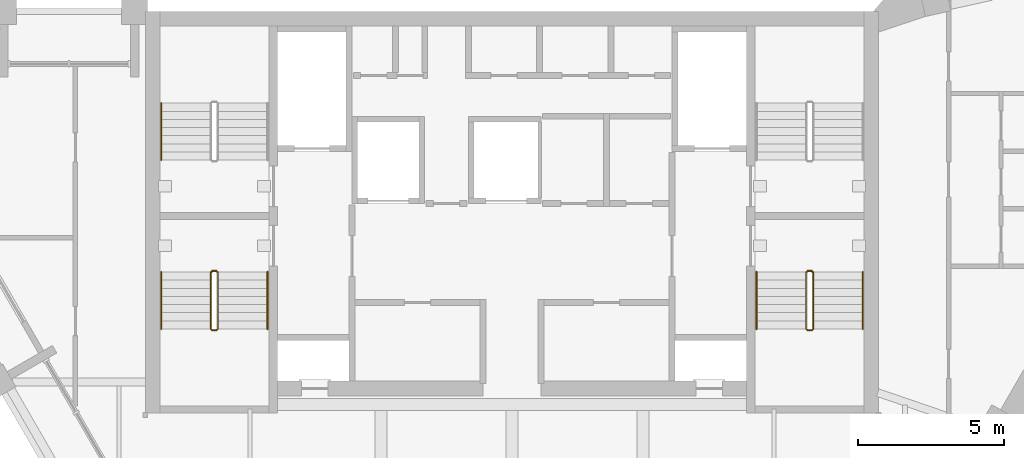
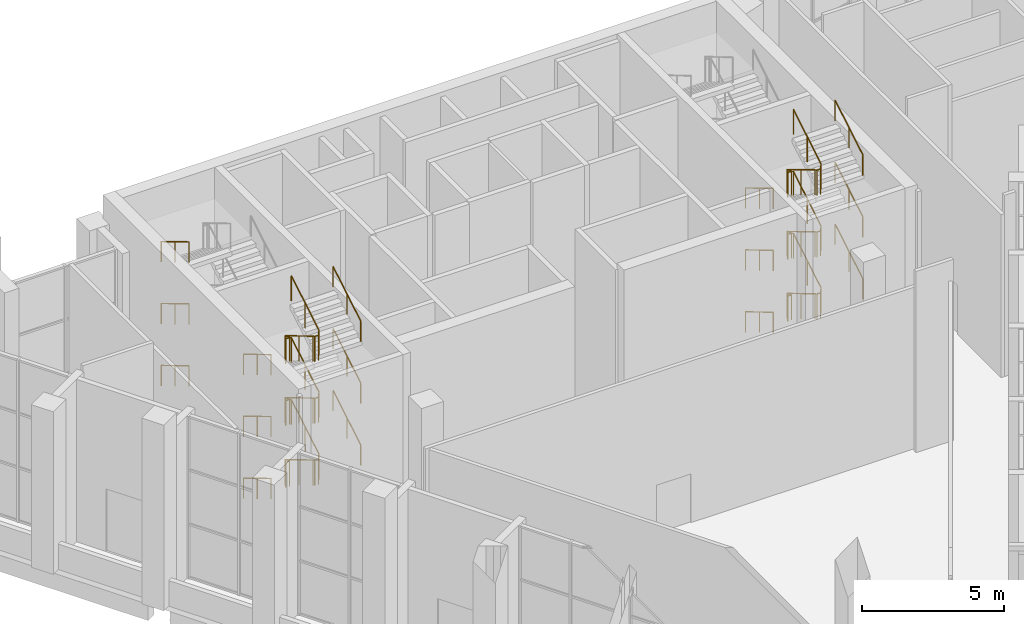
# One storey, part 15 of 16: 17 railings.
"""IFC4 building model written with IfcOpenShell, lengths in metres."""

from ifc_helpers import new_model, si_unit, direction, frame, origin, origin_2d, place, context, subcontext, project, spatial, circle, extrude, material, type_object, element, save


model = new_model("IFC4")

# Units and contexts
model_context = context("Model", 3, precision=1e-05, world=origin(), true_north=direction((0.0, 1.0)))
body_context = subcontext(model_context, "Body", "Model", "MODEL_VIEW")
ifc_project = project(units=[si_unit("LENGTHUNIT", "METRE"), si_unit("AREAUNIT", "SQUARE_METRE"), si_unit("VOLUMEUNIT", "CUBIC_METRE"), si_unit("PLANEANGLEUNIT", "RADIAN"), si_unit("MASSUNIT", "GRAM", prefix="KILO")], contexts=[model_context])

# Site, building, storey
site_placement = place(None, origin())
site = spatial("IfcSite", under=ifc_project, at=site_placement, CompositionType="ELEMENT")
building_placement = place(site_placement, origin())
building = spatial("IfcBuilding", under=site, at=building_placement, Name="Calabash Gate Tower", CompositionType="ELEMENT")
storey_placement = place(building_placement, frame((0.0, 0.0, 302.5)))
storey = spatial("IfcBuildingStorey", under=building, at=storey_placement, Name="L72", CompositionType="ELEMENT", Elevation=302.5)

# Railings
ifc_material_1 = material(Name="Black powder-coated steel balusters", Category="steel")
railing_type_1 = type_object("IfcRailingType", Name="Stair guard RL1100", PredefinedType="GUARDRAIL", material=ifc_material_1)
railing_1_placement = place(storey_placement, frame((-10.300048828125, 10.152587890625, 0.0)))
element("IfcRailing", 1, at=railing_1_placement, inside=storey, type_object=railing_type_1, Name="L72 ST2 stair guard 1", PredefinedType="GUARDRAIL", context=body_context, shape_type="SweptSolid", body=[
    extrude(circle(Radius=0.02392578125, at=origin_2d()), frame((0.0, 0.0, 1.076171875), z_axis=(1.0, 0.0, 0.0), x_axis=(0.0, 1.0, 0.0)), (0.0, 0.0, 1.0), 0.150146484375),
    extrude(circle(Radius=0.02392578125, at=origin_2d()), frame((0.150146484375, 0.0, 1.076171875), z_axis=(-0.75457900375, -0.188644750937, 0.628509097026), x_axis=(0.242535625036, -0.970142500145, 0.0)), (0.0, 0.0, 1.0), 0.265380859375),
    extrude(circle(Radius=0.02392578125, at=origin_2d()), frame((-0.050048828125, -0.050048828125, 1.24267578125), z_axis=(0.0, -0.858504550952, 0.512805943799), x_axis=(1.0, 0.0, 0.0)), (0.0, 0.0, 1.0), 2.274658203125),
    extrude(circle(Radius=0.02392578125, at=origin_2d()), frame((-0.050048828125, -2.0029296875, 2.4091796875), z_axis=(0.707106781187, -0.707106781187, 0.0), x_axis=(0.707106781187, 0.707106781187, 0.0)), (0.0, 0.0, 1.0), 0.07080078125),
    extrude(circle(Radius=0.02392578125, at=origin_2d()), frame((0.0, -2.052978515625, 2.4091796875), z_axis=(1.0, 0.0, 0.0), x_axis=(0.0, 1.0, 0.0)), (0.0, 0.0, 1.0), 0.150146484375),
    extrude(circle(Radius=0.02392578125, at=origin_2d()), frame((0.150146484375, -2.052978515625, 2.4091796875), z_axis=(0.275041040955, 0.276389281352, 0.920848191041), x_axis=(-0.708833529934, 0.705375805398, 0.0)), (0.0, 0.0, 1.0), 0.18115234375),
    extrude(circle(Radius=0.02392578125, at=origin_2d()), frame((0.199951171875, -2.0029296875, 2.576171875), z_axis=(0.0, 0.858457299827, 0.512885040114), x_axis=(-1.0, 0.0, 0.0)), (0.0, 0.0, 1.0), 2.27490234375),
    extrude(circle(Radius=0.02392578125, at=origin_2d()), frame((0.199951171875, -0.050048828125, 3.74267578125), z_axis=(-0.970072785993, 0.242814311512, 0.0), x_axis=(-0.242814311512, -0.970072785993, 0.0)), (0.0, 0.0, 1.0), 0.2060546875),
    extrude(circle(Radius=0.02392578125, at=origin_2d()), frame((0.0, 0.0, 3.74267578125), z_axis=(1.0, 0.0, 0.0), x_axis=(0.0, 1.0, 0.0)), (0.0, 0.0, 1.0), 0.150146484375),
    extrude(circle(Radius=0.02392578125, at=origin_2d()), frame((0.150146484375, 0.0, 3.74267578125), z_axis=(-0.755015485205, -0.188753871301, 0.627951903548), x_axis=(0.242535625036, -0.970142500145, 0.0)), (0.0, 0.0, 1.0), 0.26513671875),
    extrude(circle(Radius=0.02392578125, at=origin_2d()), frame((-0.050048828125, -0.050048828125, 3.9091796875), z_axis=(0.0, -0.858457299827, 0.512885040114), x_axis=(1.0, 0.0, 0.0)), (0.0, 0.0, 1.0), 2.27490234375),
    extrude(circle(Radius=0.02392578125, at=origin_2d()), frame((-0.050048828125, -2.0029296875, 5.076171875), z_axis=(0.707106781187, -0.707106781187, 0.0), x_axis=(0.707106781187, 0.707106781187, 0.0)), (0.0, 0.0, 1.0), 0.07080078125),
    extrude(circle(Radius=0.02392578125, at=origin_2d()), frame((0.0, -2.052978515625, 5.076171875), z_axis=(1.0, 0.0, 0.0), x_axis=(0.0, 1.0, 0.0)), (0.0, 0.0, 1.0), 0.150146484375),
    extrude(circle(Radius=0.02392578125, at=origin_2d()), frame((0.150146484375, -2.052978515625, 5.076171875), z_axis=(0.275041040955, 0.276389281352, 0.920848191041), x_axis=(-0.708833529934, 0.705375805398, 0.0)), (0.0, 0.0, 1.0), 0.18115234375),
    extrude(circle(Radius=0.02392578125, at=origin_2d()), frame((0.199951171875, -2.0029296875, 5.24267578125), z_axis=(0.0, 0.858504550952, 0.512805943799), x_axis=(-1.0, 0.0, 0.0)), (0.0, 0.0, 1.0), 2.274658203125),
    extrude(circle(Radius=0.02392578125, at=origin_2d()), frame((0.199951171875, -0.050048828125, 6.4091796875), z_axis=(-0.970072785993, 0.242814311512, 0.0), x_axis=(-0.242814311512, -0.970072785993, 0.0)), (0.0, 0.0, 1.0), 0.2060546875),
    extrude(circle(Radius=0.02392578125, at=origin_2d()), frame((0.0, 0.0, 6.4091796875), z_axis=(1.0, 0.0, 0.0), x_axis=(0.0, 1.0, 0.0)), (0.0, 0.0, 1.0), 0.150146484375),
    extrude(circle(Radius=0.02392578125, at=origin_2d()), frame((0.150146484375, 0.0, 6.4091796875), z_axis=(-0.75457900375, -0.188644750937, 0.628509097026), x_axis=(0.242535625036, -0.970142500145, 0.0)), (0.0, 0.0, 1.0), 0.265380859375),
    extrude(circle(Radius=0.02392578125, at=origin_2d()), frame((-0.050048828125, -0.050048828125, 6.576171875), z_axis=(0.0, -0.858457299827, 0.512885040114), x_axis=(1.0, 0.0, 0.0)), (0.0, 0.0, 1.0), 2.27490234375),
    extrude(circle(Radius=0.02392578125, at=origin_2d()), frame((-0.050048828125, -2.0029296875, 7.74267578125), z_axis=(0.707106781187, -0.707106781187, 0.0), x_axis=(0.707106781187, 0.707106781187, 0.0)), (0.0, 0.0, 1.0), 0.07080078125),
    extrude(circle(Radius=0.02392578125, at=origin_2d()), frame((0.0, -2.052978515625, 7.74267578125), z_axis=(1.0, 0.0, 0.0), x_axis=(0.0, 1.0, 0.0)), (0.0, 0.0, 1.0), 0.150146484375),
    extrude(circle(Radius=0.02392578125, at=origin_2d()), frame((0.150146484375, -2.052978515625, 7.74267578125), z_axis=(0.275382897532, 0.276732813696, 0.920642824102), x_axis=(-0.708833529934, 0.705375805398, 0.0)), (0.0, 0.0, 1.0), 0.180908203125),
    extrude(circle(Radius=0.02392578125, at=origin_2d()), frame((0.199951171875, -2.0029296875, 7.9091796875), z_axis=(0.0, 0.858457299827, 0.512885040114), x_axis=(-1.0, 0.0, 0.0)), (0.0, 0.0, 1.0), 2.27490234375),
    extrude(circle(Radius=0.02099609375, at=origin_2d()), origin(), (0.0, 0.0, 1.0), 1.052001953125),
    extrude(circle(Radius=0.02099609375, at=origin_2d()), frame((0.150146484375, 0.0, 0.0)), (0.0, 0.0, 1.0), 1.052001953125),
    extrude(circle(Radius=0.02099609375, at=origin_2d()), frame((-0.050048828125, -0.050048828125, 0.166748046875)), (0.0, 0.0, 1.0), 1.052001953125),
    extrude(circle(Radius=0.02099609375, at=origin_2d()), frame((-0.050048828125, -1.0263671875, 0.75)), (0.0, 0.0, 1.0), 1.052001953125),
    extrude(circle(Radius=0.02099609375, at=origin_2d()), frame((-0.050048828125, -2.0029296875, 1.333251953125)), (0.0, 0.0, 1.0), 1.052001953125),
    extrude(circle(Radius=0.02099609375, at=origin_2d()), frame((0.0, -2.052978515625, 1.333251953125)), (0.0, 0.0, 1.0), 1.052001953125),
    extrude(circle(Radius=0.02099609375, at=origin_2d()), frame((0.150146484375, -2.052978515625, 1.333251953125)), (0.0, 0.0, 1.0), 1.052001953125),
    extrude(circle(Radius=0.02099609375, at=origin_2d()), frame((0.199951171875, -2.0029296875, 1.5)), (0.0, 0.0, 1.0), 1.052001953125),
    extrude(circle(Radius=0.02099609375, at=origin_2d()), frame((0.199951171875, -1.0263671875, 2.08349609375)), (0.0, 0.0, 1.0), 1.052001953125),
    extrude(circle(Radius=0.02099609375, at=origin_2d()), frame((0.199951171875, -0.050048828125, 2.666748046875)), (0.0, 0.0, 1.0), 1.052001953125),
    extrude(circle(Radius=0.02099609375, at=origin_2d()), frame((0.0, 0.0, 2.666748046875)), (0.0, 0.0, 1.0), 1.052001953125),
    extrude(circle(Radius=0.02099609375, at=origin_2d()), frame((0.150146484375, 0.0, 2.666748046875)), (0.0, 0.0, 1.0), 1.052001953125),
    extrude(circle(Radius=0.02099609375, at=origin_2d()), frame((-0.050048828125, -0.050048828125, 2.833251953125)), (0.0, 0.0, 1.0), 1.052001953125),
    extrude(circle(Radius=0.02099609375, at=origin_2d()), frame((-0.050048828125, -1.0263671875, 3.41650390625)), (0.0, 0.0, 1.0), 1.052001953125),
    extrude(circle(Radius=0.02099609375, at=origin_2d()), frame((-0.050048828125, -2.0029296875, 4.0)), (0.0, 0.0, 1.0), 1.052001953125),
    extrude(circle(Radius=0.02099609375, at=origin_2d()), frame((0.0, -2.052978515625, 4.0)), (0.0, 0.0, 1.0), 1.052001953125),
    extrude(circle(Radius=0.02099609375, at=origin_2d()), frame((0.150146484375, -2.052978515625, 4.0)), (0.0, 0.0, 1.0), 1.052001953125),
    extrude(circle(Radius=0.02099609375, at=origin_2d()), frame((0.199951171875, -2.0029296875, 4.166748046875)), (0.0, 0.0, 1.0), 1.052001953125),
    extrude(circle(Radius=0.02099609375, at=origin_2d()), frame((0.199951171875, -1.0263671875, 4.75)), (0.0, 0.0, 1.0), 1.052001953125),
    extrude(circle(Radius=0.02099609375, at=origin_2d()), frame((0.199951171875, -0.050048828125, 5.333251953125)), (0.0, 0.0, 1.0), 1.052001953125),
    extrude(circle(Radius=0.02099609375, at=origin_2d()), frame((0.0, 0.0, 5.333251953125)), (0.0, 0.0, 1.0), 1.052001953125),
    extrude(circle(Radius=0.02099609375, at=origin_2d()), frame((0.150146484375, 0.0, 5.333251953125)), (0.0, 0.0, 1.0), 1.052001953125),
    extrude(circle(Radius=0.02099609375, at=origin_2d()), frame((-0.050048828125, -0.050048828125, 5.5)), (0.0, 0.0, 1.0), 1.052001953125),
    extrude(circle(Radius=0.02099609375, at=origin_2d()), frame((-0.050048828125, -1.0263671875, 6.08349609375)), (0.0, 0.0, 1.0), 1.052001953125),
    extrude(circle(Radius=0.02099609375, at=origin_2d()), frame((-0.050048828125, -2.0029296875, 6.666748046875)), (0.0, 0.0, 1.0), 1.052001953125),
    extrude(circle(Radius=0.02099609375, at=origin_2d()), frame((0.0, -2.052978515625, 6.666748046875)), (0.0, 0.0, 1.0), 1.052001953125),
    extrude(circle(Radius=0.02099609375, at=origin_2d()), frame((0.150146484375, -2.052978515625, 6.666748046875)), (0.0, 0.0, 1.0), 1.052001953125),
    extrude(circle(Radius=0.02099609375, at=origin_2d()), frame((0.199951171875, -2.0029296875, 6.833251953125)), (0.0, 0.0, 1.0), 1.052001953125),
    extrude(circle(Radius=0.02099609375, at=origin_2d()), frame((0.199951171875, -1.0263671875, 7.41650390625)), (0.0, 0.0, 1.0), 1.052001953125),
    extrude(circle(Radius=0.02099609375, at=origin_2d()), frame((0.199951171875, -0.050048828125, 8.0)), (0.0, 0.0, 1.0), 1.052001953125),
])
railing_2_placement = place(storey_placement, frame((10.14990234375, 10.152587890625, 0.0)))
element("IfcRailing", 2, at=railing_2_placement, inside=storey, type_object=railing_type_1, Name="L72 ST4 stair guard 1", PredefinedType="GUARDRAIL", context=body_context, shape_type="SweptSolid", body=[
    extrude(circle(Radius=0.02392578125, at=origin_2d()), frame((0.0, 0.0, 1.076171875), z_axis=(1.0, 0.0, 0.0), x_axis=(0.0, 1.0, 0.0)), (0.0, 0.0, 1.0), 0.150146484375),
    extrude(circle(Radius=0.02392578125, at=origin_2d()), frame((0.150146484375, 0.0, 1.076171875), z_axis=(-0.754182335027, -0.188775798145, 0.628945707965), x_axis=(0.242814311512, -0.970072785993, 0.0)), (0.0, 0.0, 1.0), 0.26513671875),
    extrude(circle(Radius=0.02392578125, at=origin_2d()), frame((-0.0498046875, -0.050048828125, 1.24267578125), z_axis=(0.0, -0.858504550952, 0.512805943799), x_axis=(1.0, 0.0, 0.0)), (0.0, 0.0, 1.0), 2.274658203125),
    extrude(circle(Radius=0.02392578125, at=origin_2d()), frame((-0.0498046875, -2.0029296875, 2.4091796875), z_axis=(0.705375805398, -0.708833529934, 0.0), x_axis=(0.708833529934, 0.705375805398, 0.0)), (0.0, 0.0, 1.0), 0.070556640625),
    extrude(circle(Radius=0.02392578125, at=origin_2d()), frame((0.0, -2.052978515625, 2.4091796875), z_axis=(1.0, 0.0, 0.0), x_axis=(0.0, 1.0, 0.0)), (0.0, 0.0, 1.0), 0.150146484375),
    extrude(circle(Radius=0.02392578125, at=origin_2d()), frame((0.150146484375, -2.052978515625, 2.4091796875), z_axis=(0.27628659633, 0.27628659633, 0.920506074601), x_axis=(-0.707106781187, 0.707106781187, 0.0)), (0.0, 0.0, 1.0), 0.18115234375),
    extrude(circle(Radius=0.02392578125, at=origin_2d()), frame((0.2001953125, -2.0029296875, 2.576171875), z_axis=(0.0, 0.858457299827, 0.512885040114), x_axis=(-1.0, 0.0, 0.0)), (0.0, 0.0, 1.0), 2.27490234375),
    extrude(circle(Radius=0.02392578125, at=origin_2d()), frame((0.2001953125, -0.050048828125, 3.74267578125), z_axis=(-0.970142500145, 0.242535625036, 0.0), x_axis=(-0.242535625036, -0.970142500145, 0.0)), (0.0, 0.0, 1.0), 0.206298828125),
    extrude(circle(Radius=0.02392578125, at=origin_2d()), frame((0.0, 0.0, 3.74267578125), z_axis=(1.0, 0.0, 0.0), x_axis=(0.0, 1.0, 0.0)), (0.0, 0.0, 1.0), 0.150146484375),
    extrude(circle(Radius=0.02392578125, at=origin_2d()), frame((0.150146484375, 0.0, 3.74267578125), z_axis=(-0.754619193878, -0.188885146209, 0.628388632753), x_axis=(0.242814311512, -0.970072785993, 0.0)), (0.0, 0.0, 1.0), 0.264892578125),
    extrude(circle(Radius=0.02392578125, at=origin_2d()), frame((-0.0498046875, -0.050048828125, 3.9091796875), z_axis=(0.0, -0.858457299827, 0.512885040114), x_axis=(1.0, 0.0, 0.0)), (0.0, 0.0, 1.0), 2.27490234375),
    extrude(circle(Radius=0.02392578125, at=origin_2d()), frame((-0.0498046875, -2.0029296875, 5.076171875), z_axis=(0.705375805398, -0.708833529934, 0.0), x_axis=(0.708833529934, 0.705375805398, 0.0)), (0.0, 0.0, 1.0), 0.070556640625),
    extrude(circle(Radius=0.02392578125, at=origin_2d()), frame((0.0, -2.052978515625, 5.076171875), z_axis=(1.0, 0.0, 0.0), x_axis=(0.0, 1.0, 0.0)), (0.0, 0.0, 1.0), 0.150146484375),
    extrude(circle(Radius=0.02392578125, at=origin_2d()), frame((0.150146484375, -2.052978515625, 5.076171875), z_axis=(0.27628659633, 0.27628659633, 0.920506074601), x_axis=(-0.707106781187, 0.707106781187, 0.0)), (0.0, 0.0, 1.0), 0.18115234375),
    extrude(circle(Radius=0.02392578125, at=origin_2d()), frame((0.2001953125, -2.0029296875, 5.24267578125), z_axis=(0.0, 0.858504550952, 0.512805943799), x_axis=(-1.0, 0.0, 0.0)), (0.0, 0.0, 1.0), 2.274658203125),
    extrude(circle(Radius=0.02392578125, at=origin_2d()), frame((0.2001953125, -0.050048828125, 6.4091796875), z_axis=(-0.970142500145, 0.242535625036, 0.0), x_axis=(-0.242535625036, -0.970142500145, 0.0)), (0.0, 0.0, 1.0), 0.206298828125),
    extrude(circle(Radius=0.02392578125, at=origin_2d()), frame((0.0, 0.0, 6.4091796875), z_axis=(1.0, 0.0, 0.0), x_axis=(0.0, 1.0, 0.0)), (0.0, 0.0, 1.0), 0.150146484375),
    extrude(circle(Radius=0.02392578125, at=origin_2d()), frame((0.150146484375, 0.0, 6.4091796875), z_axis=(-0.754182335027, -0.188775798145, 0.628945707965), x_axis=(0.242814311512, -0.970072785993, 0.0)), (0.0, 0.0, 1.0), 0.26513671875),
    extrude(circle(Radius=0.02392578125, at=origin_2d()), frame((-0.0498046875, -0.050048828125, 6.576171875), z_axis=(0.0, -0.858457299827, 0.512885040114), x_axis=(1.0, 0.0, 0.0)), (0.0, 0.0, 1.0), 2.27490234375),
    extrude(circle(Radius=0.02392578125, at=origin_2d()), frame((-0.0498046875, -2.0029296875, 7.74267578125), z_axis=(0.705375805398, -0.708833529934, 0.0), x_axis=(0.708833529934, 0.705375805398, 0.0)), (0.0, 0.0, 1.0), 0.070556640625),
    extrude(circle(Radius=0.02392578125, at=origin_2d()), frame((0.0, -2.052978515625, 7.74267578125), z_axis=(1.0, 0.0, 0.0), x_axis=(0.0, 1.0, 0.0)), (0.0, 0.0, 1.0), 0.150146484375),
    extrude(circle(Radius=0.02392578125, at=origin_2d()), frame((0.150146484375, -2.052978515625, 7.74267578125), z_axis=(0.27662974545, 0.27662974545, 0.920299933644), x_axis=(-0.707106781187, 0.707106781187, 0.0)), (0.0, 0.0, 1.0), 0.180908203125),
    extrude(circle(Radius=0.02392578125, at=origin_2d()), frame((0.2001953125, -2.0029296875, 7.9091796875), z_axis=(0.0, 0.858457299827, 0.512885040114), x_axis=(-1.0, 0.0, 0.0)), (0.0, 0.0, 1.0), 2.27490234375),
    extrude(circle(Radius=0.02099609375, at=origin_2d()), origin(), (0.0, 0.0, 1.0), 1.052001953125),
    extrude(circle(Radius=0.02099609375, at=origin_2d()), frame((0.150146484375, 0.0, 0.0)), (0.0, 0.0, 1.0), 1.052001953125),
    extrude(circle(Radius=0.02099609375, at=origin_2d()), frame((-0.0498046875, -0.050048828125, 0.166748046875)), (0.0, 0.0, 1.0), 1.052001953125),
    extrude(circle(Radius=0.02099609375, at=origin_2d()), frame((-0.0498046875, -1.0263671875, 0.75)), (0.0, 0.0, 1.0), 1.052001953125),
    extrude(circle(Radius=0.02099609375, at=origin_2d()), frame((-0.0498046875, -2.0029296875, 1.333251953125)), (0.0, 0.0, 1.0), 1.052001953125),
    extrude(circle(Radius=0.02099609375, at=origin_2d()), frame((0.0, -2.052978515625, 1.333251953125)), (0.0, 0.0, 1.0), 1.052001953125),
    extrude(circle(Radius=0.02099609375, at=origin_2d()), frame((0.150146484375, -2.052978515625, 1.333251953125)), (0.0, 0.0, 1.0), 1.052001953125),
    extrude(circle(Radius=0.02099609375, at=origin_2d()), frame((0.2001953125, -2.0029296875, 1.5)), (0.0, 0.0, 1.0), 1.052001953125),
    extrude(circle(Radius=0.02099609375, at=origin_2d()), frame((0.2001953125, -1.0263671875, 2.08349609375)), (0.0, 0.0, 1.0), 1.052001953125),
    extrude(circle(Radius=0.02099609375, at=origin_2d()), frame((0.2001953125, -0.050048828125, 2.666748046875)), (0.0, 0.0, 1.0), 1.052001953125),
    extrude(circle(Radius=0.02099609375, at=origin_2d()), frame((0.0, 0.0, 2.666748046875)), (0.0, 0.0, 1.0), 1.052001953125),
    extrude(circle(Radius=0.02099609375, at=origin_2d()), frame((0.150146484375, 0.0, 2.666748046875)), (0.0, 0.0, 1.0), 1.052001953125),
    extrude(circle(Radius=0.02099609375, at=origin_2d()), frame((-0.0498046875, -0.050048828125, 2.833251953125)), (0.0, 0.0, 1.0), 1.052001953125),
    extrude(circle(Radius=0.02099609375, at=origin_2d()), frame((-0.0498046875, -1.0263671875, 3.41650390625)), (0.0, 0.0, 1.0), 1.052001953125),
    extrude(circle(Radius=0.02099609375, at=origin_2d()), frame((-0.0498046875, -2.0029296875, 4.0)), (0.0, 0.0, 1.0), 1.052001953125),
    extrude(circle(Radius=0.02099609375, at=origin_2d()), frame((0.0, -2.052978515625, 4.0)), (0.0, 0.0, 1.0), 1.052001953125),
    extrude(circle(Radius=0.02099609375, at=origin_2d()), frame((0.150146484375, -2.052978515625, 4.0)), (0.0, 0.0, 1.0), 1.052001953125),
    extrude(circle(Radius=0.02099609375, at=origin_2d()), frame((0.2001953125, -2.0029296875, 4.166748046875)), (0.0, 0.0, 1.0), 1.052001953125),
    extrude(circle(Radius=0.02099609375, at=origin_2d()), frame((0.2001953125, -1.0263671875, 4.75)), (0.0, 0.0, 1.0), 1.052001953125),
    extrude(circle(Radius=0.02099609375, at=origin_2d()), frame((0.2001953125, -0.050048828125, 5.333251953125)), (0.0, 0.0, 1.0), 1.052001953125),
    extrude(circle(Radius=0.02099609375, at=origin_2d()), frame((0.0, 0.0, 5.333251953125)), (0.0, 0.0, 1.0), 1.052001953125),
    extrude(circle(Radius=0.02099609375, at=origin_2d()), frame((0.150146484375, 0.0, 5.333251953125)), (0.0, 0.0, 1.0), 1.052001953125),
    extrude(circle(Radius=0.02099609375, at=origin_2d()), frame((-0.0498046875, -0.050048828125, 5.5)), (0.0, 0.0, 1.0), 1.052001953125),
    extrude(circle(Radius=0.02099609375, at=origin_2d()), frame((-0.0498046875, -1.0263671875, 6.08349609375)), (0.0, 0.0, 1.0), 1.052001953125),
    extrude(circle(Radius=0.02099609375, at=origin_2d()), frame((-0.0498046875, -2.0029296875, 6.666748046875)), (0.0, 0.0, 1.0), 1.052001953125),
    extrude(circle(Radius=0.02099609375, at=origin_2d()), frame((0.0, -2.052978515625, 6.666748046875)), (0.0, 0.0, 1.0), 1.052001953125),
    extrude(circle(Radius=0.02099609375, at=origin_2d()), frame((0.150146484375, -2.052978515625, 6.666748046875)), (0.0, 0.0, 1.0), 1.052001953125),
    extrude(circle(Radius=0.02099609375, at=origin_2d()), frame((0.2001953125, -2.0029296875, 6.833251953125)), (0.0, 0.0, 1.0), 1.052001953125),
    extrude(circle(Radius=0.02099609375, at=origin_2d()), frame((0.2001953125, -1.0263671875, 7.41650390625)), (0.0, 0.0, 1.0), 1.052001953125),
    extrude(circle(Radius=0.02099609375, at=origin_2d()), frame((0.2001953125, -0.050048828125, 8.0)), (0.0, 0.0, 1.0), 1.052001953125),
])
ifc_material_2 = material(Name="Black powder-coated steel tube 48 mm", Category="steel")
railing_type_2 = type_object("IfcRailingType", Name="Stair handrail RL900", PredefinedType="HANDRAIL", material=ifc_material_2)
railing_3_placement = place(storey_placement, frame((-12.050048828125, 15.905517578125, 1.5)))
element("IfcRailing", 3, at=railing_3_placement, inside=storey, type_object=railing_type_2, Name="L72 ST1 stair handrail 2", PredefinedType="HANDRAIL", context=body_context, shape_type="SweptSolid", body=[
    extrude(circle(Radius=0.02392578125, at=origin_2d()), frame((0.0, 0.0, 0.8759765625), z_axis=(0.0, -0.858457299827, 0.512885040114), x_axis=(1.0, 0.0, 0.0)), (0.0, 0.0, 1.0), 2.27490234375),
    extrude(circle(Radius=0.02099609375, at=origin_2d()), origin(), (0.0, 0.0, 1.0), 0.851806640625),
    extrude(circle(Radius=0.02099609375, at=origin_2d()), frame((0.0, -0.9765625, 0.58349609375)), (0.0, 0.0, 1.0), 0.851806640625),
    extrude(circle(Radius=0.02099609375, at=origin_2d()), frame((0.0, -1.952880859375, 1.166748046875)), (0.0, 0.0, 1.0), 0.851806640625),
])
railing_4_placement = place(storey_placement, frame((-12.050048828125, 15.905517578125, 4.166748046875)))
element("IfcRailing", 4, at=railing_4_placement, inside=storey, type_object=railing_type_2, Name="L72 ST1 stair handrail 4", PredefinedType="HANDRAIL", context=body_context, shape_type="SweptSolid", body=[
    extrude(circle(Radius=0.02392578125, at=origin_2d()), frame((0.0, 0.0, 0.8759765625), z_axis=(0.0, -0.858504550952, 0.512805943799), x_axis=(1.0, 0.0, 0.0)), (0.0, 0.0, 1.0), 2.274658203125),
    extrude(circle(Radius=0.02099609375, at=origin_2d()), origin(), (0.0, 0.0, 1.0), 0.851806640625),
    extrude(circle(Radius=0.02099609375, at=origin_2d()), frame((0.0, -0.9765625, 0.583251953125)), (0.0, 0.0, 1.0), 0.851806640625),
    extrude(circle(Radius=0.02099609375, at=origin_2d()), frame((0.0, -1.952880859375, 1.16650390625)), (0.0, 0.0, 1.0), 0.851806640625),
])
railing_5_placement = place(storey_placement, frame((-12.050048828125, 15.905517578125, 6.833251953125)))
element("IfcRailing", 5, at=railing_5_placement, inside=storey, type_object=railing_type_2, Name="L72 ST1 stair handrail 6", PredefinedType="HANDRAIL", context=body_context, shape_type="SweptSolid", body=[
    extrude(circle(Radius=0.02392578125, at=origin_2d()), frame((0.0, 0.0, 0.8759765625), z_axis=(0.0, -0.858457299827, 0.512885040114), x_axis=(1.0, 0.0, 0.0)), (0.0, 0.0, 1.0), 2.27490234375),
    extrude(circle(Radius=0.02099609375, at=origin_2d()), origin(), (0.0, 0.0, 1.0), 0.851806640625),
    extrude(circle(Radius=0.02099609375, at=origin_2d()), frame((0.0, -0.9765625, 0.58349609375)), (0.0, 0.0, 1.0), 0.851806640625),
    extrude(circle(Radius=0.02099609375, at=origin_2d()), frame((0.0, -1.952880859375, 1.166748046875)), (0.0, 0.0, 1.0), 0.851806640625),
])
railing_6_placement = place(storey_placement, frame((-12.050048828125, 10.1025390625, 0.166748046875)))
element("IfcRailing", 6, at=railing_6_placement, inside=storey, type_object=railing_type_2, Name="L72 ST2 stair handrail 1", PredefinedType="HANDRAIL", context=body_context, shape_type="SweptSolid", body=[
    extrude(circle(Radius=0.02392578125, at=origin_2d()), frame((0.0, 0.0, 0.8759765625), z_axis=(0.0, -0.858504550952, 0.512805943799), x_axis=(1.0, 0.0, 0.0)), (0.0, 0.0, 1.0), 2.274658203125),
    extrude(circle(Radius=0.02099609375, at=origin_2d()), origin(), (0.0, 0.0, 1.0), 0.851806640625),
    extrude(circle(Radius=0.02099609375, at=origin_2d()), frame((0.0, -0.9765625, 0.583251953125)), (0.0, 0.0, 1.0), 0.851806640625),
    extrude(circle(Radius=0.02099609375, at=origin_2d()), frame((0.0, -1.952880859375, 1.16650390625)), (0.0, 0.0, 1.0), 0.851806640625),
])
railing_7_placement = place(storey_placement, frame((-8.39990234375, 8.149658203125, 1.5)))
element("IfcRailing", 7, at=railing_7_placement, inside=storey, type_object=railing_type_2, Name="L72 ST2 stair handrail 2", PredefinedType="HANDRAIL", context=body_context, shape_type="SweptSolid", body=[
    extrude(circle(Radius=0.02392578125, at=origin_2d()), frame((0.0, 0.0, 0.8759765625), z_axis=(0.0, 0.858457299827, 0.512885040114), x_axis=(-1.0, 0.0, 0.0)), (0.0, 0.0, 1.0), 2.27490234375),
    extrude(circle(Radius=0.02099609375, at=origin_2d()), origin(), (0.0, 0.0, 1.0), 0.851806640625),
    extrude(circle(Radius=0.02099609375, at=origin_2d()), frame((0.0, 0.9765625, 0.58349609375)), (0.0, 0.0, 1.0), 0.851806640625),
    extrude(circle(Radius=0.02099609375, at=origin_2d()), frame((0.0, 1.952880859375, 1.166748046875)), (0.0, 0.0, 1.0), 0.851806640625),
])
railing_8_placement = place(storey_placement, frame((-12.050048828125, 10.1025390625, 2.833251953125)))
element("IfcRailing", 8, at=railing_8_placement, inside=storey, type_object=railing_type_2, Name="L72 ST2 stair handrail 3", PredefinedType="HANDRAIL", context=body_context, shape_type="SweptSolid", body=[
    extrude(circle(Radius=0.02392578125, at=origin_2d()), frame((0.0, 0.0, 0.8759765625), z_axis=(0.0, -0.858457299827, 0.512885040114), x_axis=(1.0, 0.0, 0.0)), (0.0, 0.0, 1.0), 2.27490234375),
    extrude(circle(Radius=0.02099609375, at=origin_2d()), origin(), (0.0, 0.0, 1.0), 0.851806640625),
    extrude(circle(Radius=0.02099609375, at=origin_2d()), frame((0.0, -0.9765625, 0.58349609375)), (0.0, 0.0, 1.0), 0.851806640625),
    extrude(circle(Radius=0.02099609375, at=origin_2d()), frame((0.0, -1.952880859375, 1.166748046875)), (0.0, 0.0, 1.0), 0.851806640625),
])
railing_9_placement = place(storey_placement, frame((-8.39990234375, 8.149658203125, 4.166748046875)))
element("IfcRailing", 9, at=railing_9_placement, inside=storey, type_object=railing_type_2, Name="L72 ST2 stair handrail 4", PredefinedType="HANDRAIL", context=body_context, shape_type="SweptSolid", body=[
    extrude(circle(Radius=0.02392578125, at=origin_2d()), frame((0.0, 0.0, 0.8759765625), z_axis=(0.0, 0.858504550952, 0.512805943799), x_axis=(-1.0, 0.0, 0.0)), (0.0, 0.0, 1.0), 2.274658203125),
    extrude(circle(Radius=0.02099609375, at=origin_2d()), origin(), (0.0, 0.0, 1.0), 0.851806640625),
    extrude(circle(Radius=0.02099609375, at=origin_2d()), frame((0.0, 0.9765625, 0.583251953125)), (0.0, 0.0, 1.0), 0.851806640625),
    extrude(circle(Radius=0.02099609375, at=origin_2d()), frame((0.0, 1.952880859375, 1.16650390625)), (0.0, 0.0, 1.0), 0.851806640625),
])
railing_10_placement = place(storey_placement, frame((-12.050048828125, 10.1025390625, 5.5)))
element("IfcRailing", 10, at=railing_10_placement, inside=storey, type_object=railing_type_2, Name="L72 ST2 stair handrail 5", PredefinedType="HANDRAIL", context=body_context, shape_type="SweptSolid", body=[
    extrude(circle(Radius=0.02392578125, at=origin_2d()), frame((0.0, 0.0, 0.8759765625), z_axis=(0.0, -0.858457299827, 0.512885040114), x_axis=(1.0, 0.0, 0.0)), (0.0, 0.0, 1.0), 2.27490234375),
    extrude(circle(Radius=0.02099609375, at=origin_2d()), origin(), (0.0, 0.0, 1.0), 0.851806640625),
    extrude(circle(Radius=0.02099609375, at=origin_2d()), frame((0.0, -0.9765625, 0.58349609375)), (0.0, 0.0, 1.0), 0.851806640625),
    extrude(circle(Radius=0.02099609375, at=origin_2d()), frame((0.0, -1.952880859375, 1.166748046875)), (0.0, 0.0, 1.0), 0.851806640625),
])
railing_11_placement = place(storey_placement, frame((-8.39990234375, 8.149658203125, 6.833251953125)))
element("IfcRailing", 11, at=railing_11_placement, inside=storey, type_object=railing_type_2, Name="L72 ST2 stair handrail 6", PredefinedType="HANDRAIL", context=body_context, shape_type="SweptSolid", body=[
    extrude(circle(Radius=0.02392578125, at=origin_2d()), frame((0.0, 0.0, 0.8759765625), z_axis=(0.0, 0.858457299827, 0.512885040114), x_axis=(-1.0, 0.0, 0.0)), (0.0, 0.0, 1.0), 2.27490234375),
    extrude(circle(Radius=0.02099609375, at=origin_2d()), origin(), (0.0, 0.0, 1.0), 0.851806640625),
    extrude(circle(Radius=0.02099609375, at=origin_2d()), frame((0.0, 0.9765625, 0.58349609375)), (0.0, 0.0, 1.0), 0.851806640625),
    extrude(circle(Radius=0.02099609375, at=origin_2d()), frame((0.0, 1.952880859375, 1.166748046875)), (0.0, 0.0, 1.0), 0.851806640625),
])
railing_12_placement = place(storey_placement, frame((8.39990234375, 10.1025390625, 0.166748046875)))
element("IfcRailing", 12, at=railing_12_placement, inside=storey, type_object=railing_type_2, Name="L72 ST4 stair handrail 1", PredefinedType="HANDRAIL", context=body_context, shape_type="SweptSolid", body=[
    extrude(circle(Radius=0.02392578125, at=origin_2d()), frame((0.0, 0.0, 0.8759765625), z_axis=(0.0, -0.858504550952, 0.512805943799), x_axis=(1.0, 0.0, 0.0)), (0.0, 0.0, 1.0), 2.274658203125),
    extrude(circle(Radius=0.02099609375, at=origin_2d()), origin(), (0.0, 0.0, 1.0), 0.851806640625),
    extrude(circle(Radius=0.02099609375, at=origin_2d()), frame((0.0, -0.9765625, 0.583251953125)), (0.0, 0.0, 1.0), 0.851806640625),
    extrude(circle(Radius=0.02099609375, at=origin_2d()), frame((0.0, -1.952880859375, 1.16650390625)), (0.0, 0.0, 1.0), 0.851806640625),
])
railing_13_placement = place(storey_placement, frame((12.050048828125, 8.149658203125, 1.5)))
element("IfcRailing", 13, at=railing_13_placement, inside=storey, type_object=railing_type_2, Name="L72 ST4 stair handrail 2", PredefinedType="HANDRAIL", context=body_context, shape_type="SweptSolid", body=[
    extrude(circle(Radius=0.02392578125, at=origin_2d()), frame((0.0, 0.0, 0.8759765625), z_axis=(0.0, 0.858457299827, 0.512885040114), x_axis=(-1.0, 0.0, 0.0)), (0.0, 0.0, 1.0), 2.27490234375),
    extrude(circle(Radius=0.02099609375, at=origin_2d()), origin(), (0.0, 0.0, 1.0), 0.851806640625),
    extrude(circle(Radius=0.02099609375, at=origin_2d()), frame((0.0, 0.9765625, 0.58349609375)), (0.0, 0.0, 1.0), 0.851806640625),
    extrude(circle(Radius=0.02099609375, at=origin_2d()), frame((0.0, 1.952880859375, 1.166748046875)), (0.0, 0.0, 1.0), 0.851806640625),
])
railing_14_placement = place(storey_placement, frame((8.39990234375, 10.1025390625, 2.833251953125)))
element("IfcRailing", 14, at=railing_14_placement, inside=storey, type_object=railing_type_2, Name="L72 ST4 stair handrail 3", PredefinedType="HANDRAIL", context=body_context, shape_type="SweptSolid", body=[
    extrude(circle(Radius=0.02392578125, at=origin_2d()), frame((0.0, 0.0, 0.8759765625), z_axis=(0.0, -0.858457299827, 0.512885040114), x_axis=(1.0, 0.0, 0.0)), (0.0, 0.0, 1.0), 2.27490234375),
    extrude(circle(Radius=0.02099609375, at=origin_2d()), origin(), (0.0, 0.0, 1.0), 0.851806640625),
    extrude(circle(Radius=0.02099609375, at=origin_2d()), frame((0.0, -0.9765625, 0.58349609375)), (0.0, 0.0, 1.0), 0.851806640625),
    extrude(circle(Radius=0.02099609375, at=origin_2d()), frame((0.0, -1.952880859375, 1.166748046875)), (0.0, 0.0, 1.0), 0.851806640625),
])
railing_15_placement = place(storey_placement, frame((12.050048828125, 8.149658203125, 4.166748046875)))
element("IfcRailing", 15, at=railing_15_placement, inside=storey, type_object=railing_type_2, Name="L72 ST4 stair handrail 4", PredefinedType="HANDRAIL", context=body_context, shape_type="SweptSolid", body=[
    extrude(circle(Radius=0.02392578125, at=origin_2d()), frame((0.0, 0.0, 0.8759765625), z_axis=(0.0, 0.858504550952, 0.512805943799), x_axis=(-1.0, 0.0, 0.0)), (0.0, 0.0, 1.0), 2.274658203125),
    extrude(circle(Radius=0.02099609375, at=origin_2d()), origin(), (0.0, 0.0, 1.0), 0.851806640625),
    extrude(circle(Radius=0.02099609375, at=origin_2d()), frame((0.0, 0.9765625, 0.583251953125)), (0.0, 0.0, 1.0), 0.851806640625),
    extrude(circle(Radius=0.02099609375, at=origin_2d()), frame((0.0, 1.952880859375, 1.16650390625)), (0.0, 0.0, 1.0), 0.851806640625),
])
railing_16_placement = place(storey_placement, frame((8.39990234375, 10.1025390625, 5.5)))
element("IfcRailing", 16, at=railing_16_placement, inside=storey, type_object=railing_type_2, Name="L72 ST4 stair handrail 5", PredefinedType="HANDRAIL", context=body_context, shape_type="SweptSolid", body=[
    extrude(circle(Radius=0.02392578125, at=origin_2d()), frame((0.0, 0.0, 0.8759765625), z_axis=(0.0, -0.858457299827, 0.512885040114), x_axis=(1.0, 0.0, 0.0)), (0.0, 0.0, 1.0), 2.27490234375),
    extrude(circle(Radius=0.02099609375, at=origin_2d()), origin(), (0.0, 0.0, 1.0), 0.851806640625),
    extrude(circle(Radius=0.02099609375, at=origin_2d()), frame((0.0, -0.9765625, 0.58349609375)), (0.0, 0.0, 1.0), 0.851806640625),
    extrude(circle(Radius=0.02099609375, at=origin_2d()), frame((0.0, -1.952880859375, 1.166748046875)), (0.0, 0.0, 1.0), 0.851806640625),
])
railing_17_placement = place(storey_placement, frame((12.050048828125, 8.149658203125, 6.833251953125)))
element("IfcRailing", 17, at=railing_17_placement, inside=storey, type_object=railing_type_2, Name="L72 ST4 stair handrail 6", PredefinedType="HANDRAIL", context=body_context, shape_type="SweptSolid", body=[
    extrude(circle(Radius=0.02392578125, at=origin_2d()), frame((0.0, 0.0, 0.8759765625), z_axis=(0.0, 0.858457299827, 0.512885040114), x_axis=(-1.0, 0.0, 0.0)), (0.0, 0.0, 1.0), 2.27490234375),
    extrude(circle(Radius=0.02099609375, at=origin_2d()), origin(), (0.0, 0.0, 1.0), 0.851806640625),
    extrude(circle(Radius=0.02099609375, at=origin_2d()), frame((0.0, 0.9765625, 0.58349609375)), (0.0, 0.0, 1.0), 0.851806640625),
    extrude(circle(Radius=0.02099609375, at=origin_2d()), frame((0.0, 1.952880859375, 1.166748046875)), (0.0, 0.0, 1.0), 0.851806640625),
])

save(model, "model.ifc")
